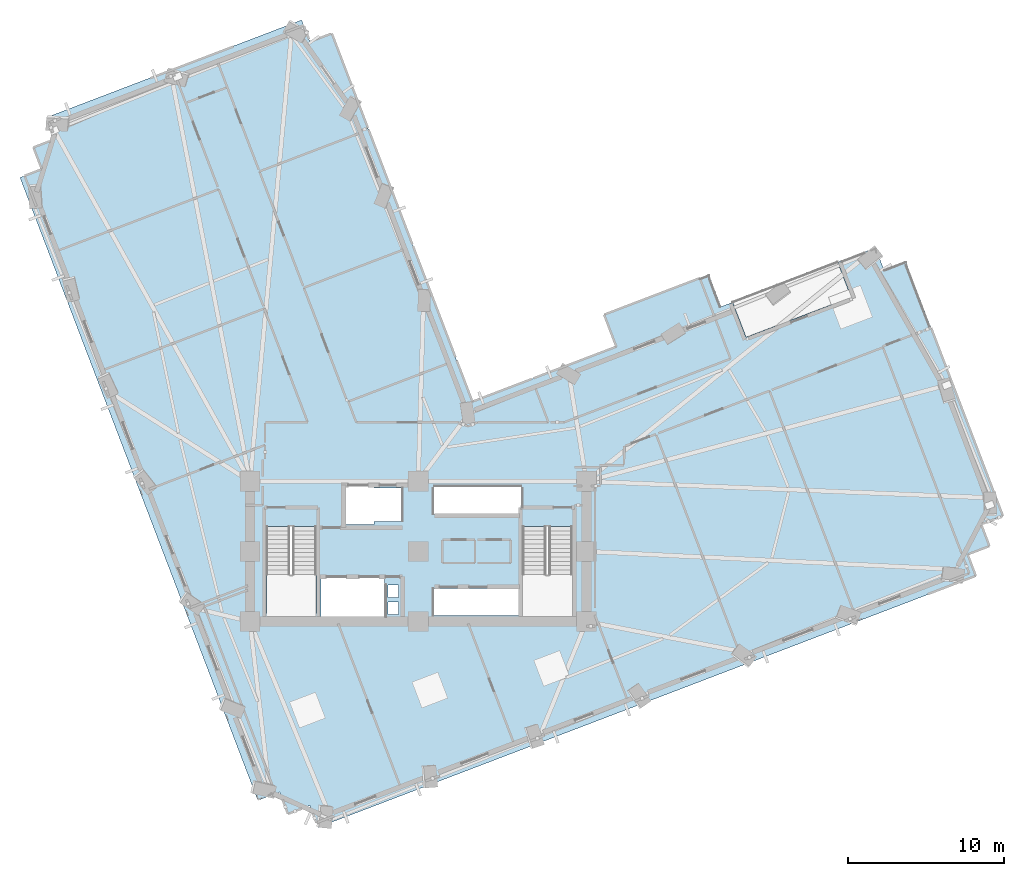
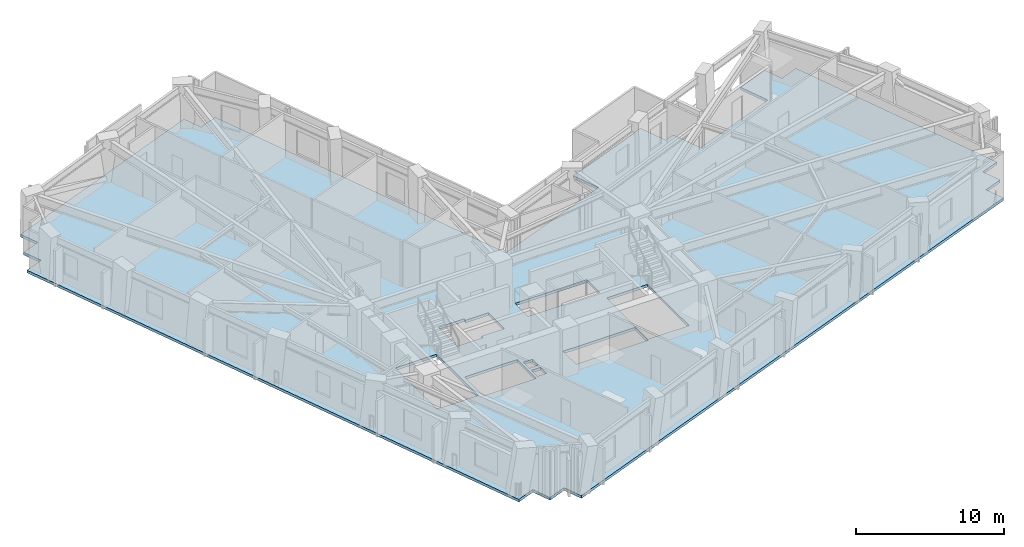
# One storey, part 4 of 15: 1 slab.
"""IFC4 building model written with IfcOpenShell, lengths in metres."""

import ifcopenshell
import ifcopenshell.guid

model = None  # the IFC model being written
_history = None  # IfcOwnerHistory: only IFC2X3 demands one
_inside = {}  # id of a spatial element -> (the spatial element, [elements in it])
_under = {}  # id of a project, library or spatial element -> (it, [spatial elements below it])
_declared = {}  # id of a project -> (the project, [libraries it declares])
_typed = {}  # id of a type object -> (the type object, [elements of that type])
_made_of = {}  # id of a material, layer set ... -> (it, [elements and type objects made of it])


def new_model(schema):
    """Start an empty IFC model of exactly this schema.

    Asked for "IFC4X3", IfcOpenShell would pick the latest addendum, in which some entities
    have other attributes; the version numbers below select the first issue.
    IFC2X3 requires an IfcOwnerHistory on every rooted entity: one is made here for all.
    """
    global model, _history
    if schema == "IFC4X3":
        model = ifcopenshell.file(schema_version=(4, 3, 0, 0))
    else:
        model = ifcopenshell.file(schema=schema)
    _inside.clear()
    _under.clear()
    _declared.clear()
    _typed.clear()
    _made_of.clear()
    _history = None
    if model.schema == "IFC2X3":
        org = make("IfcOrganization", Name="unknown")
        user = make(
            "IfcPersonAndOrganization",
            ThePerson=make("IfcPerson", FamilyName="unknown"),
            TheOrganization=org,
        )
        app = make(
            "IfcApplication",
            ApplicationDeveloper=org,
            Version="unknown",
            ApplicationFullName="unknown",
            ApplicationIdentifier="unknown",
        )
        _history = make(
            "IfcOwnerHistory",
            OwningUser=user,
            OwningApplication=app,
            ChangeAction="ADDED",
            CreationDate=0,
        )
    return model


def make(cls, **values):
    """One entity of the class cls with the attributes given. An attribute that is None is left unset."""
    return model.create_entity(
        cls, **{name: value for name, value in values.items() if value is not None}
    )


def rooted(cls, **values):
    """An entity with a GlobalId (a new one), such as an element, a storey or a relation."""
    return make(cls, GlobalId=ifcopenshell.guid.new(), OwnerHistory=_history, **values)


def si_unit(unit_type, name, prefix=None):
    """IfcSIUnit, for example si_unit("LENGTHUNIT", "METRE", prefix="MILLI")."""
    return make("IfcSIUnit", UnitType=unit_type, Prefix=prefix, Name=name)


def assignment(units):
    """IfcUnitAssignment: the units of a project."""
    return None if units is None else make("IfcUnitAssignment", Units=units)


def point(xyz):
    """IfcCartesianPoint."""
    return None if xyz is None else make("IfcCartesianPoint", Coordinates=xyz)


def direction(xyz):
    """IfcDirection."""
    return None if xyz is None else make("IfcDirection", DirectionRatios=xyz)


def frame(location, z_axis=None, x_axis=None):
    """IfcAxis2Placement3D, a coordinate frame: its origin and axes. An axis left out is left unset."""
    return make(
        "IfcAxis2Placement3D",
        Location=point(location),
        Axis=direction(z_axis),
        RefDirection=direction(x_axis),
    )


def origin():
    """The frame at (0, 0, 0) with its axes left unset."""
    return frame((0.0, 0.0, 0.0))


def place(relative_to, where):
    """IfcLocalPlacement: puts the frame where relative to a parent placement (None: the world)."""
    return make(
        "IfcLocalPlacement", PlacementRelTo=relative_to, RelativePlacement=where
    )


def context(
    kind, dimensions, precision=None, world=None, true_north=None, identifier=None
):
    """IfcGeometricRepresentationContext, for example the 3D "Model" context."""
    return make(
        "IfcGeometricRepresentationContext",
        ContextIdentifier=identifier,
        ContextType=kind,
        CoordinateSpaceDimension=dimensions,
        Precision=precision,
        WorldCoordinateSystem=world,
        TrueNorth=true_north,
    )


def subcontext(parent, identifier, kind, view, scale=None):
    """IfcGeometricRepresentationSubContext, for example "Body" below "Model"."""
    return make(
        "IfcGeometricRepresentationSubContext",
        ContextIdentifier=identifier,
        ContextType=kind,
        ParentContext=parent,
        TargetScale=scale,
        TargetView=view,
    )


def project(units=None, contexts=None):
    """IfcProject with its units and contexts."""
    return rooted(
        "IfcProject",
        Name="project",
        RepresentationContexts=contexts,
        UnitsInContext=assignment(units),
    )


def spatial(cls, under=None, at=None, **own):
    """A site, building, storey or space (cls), placed at a placement, below another one or the project."""
    s = rooted(cls, ObjectPlacement=at, **own)
    if under is not None:
        _under.setdefault(under.id(), (under, []))[1].append(s)
    return s


def polyline(points):
    """IfcPolyline through the points."""
    return make("IfcPolyline", Points=[point(p) for p in points])


def outline(outer, holes=None, kind="AREA"):
    """IfcArbitraryClosedProfileDef: a profile drawn as a closed curve; with holes, ...WithVoids."""
    if holes is None:
        return make("IfcArbitraryClosedProfileDef", ProfileType=kind, OuterCurve=outer)
    return make(
        "IfcArbitraryProfileDefWithVoids",
        ProfileType=kind,
        OuterCurve=outer,
        InnerCurves=holes,
    )


def extrude(swept, where, along, depth):
    """IfcExtrudedAreaSolid: the profile swept, set in the frame where, extruded along a direction by depth."""
    return make(
        "IfcExtrudedAreaSolid",
        SweptArea=swept,
        Position=where,
        ExtrudedDirection=direction(along),
        Depth=depth,
    )


def shape(context_of_items, identifier, shape_type, items):
    """IfcShapeRepresentation: the items that make up one representation, for example the "Body"."""
    return make(
        "IfcShapeRepresentation",
        ContextOfItems=context_of_items,
        RepresentationIdentifier=identifier,
        RepresentationType=shape_type,
        Items=items,
    )


def material(Name=None, Category=None):
    """IfcMaterial."""
    return make("IfcMaterial", Name=Name, Category=Category)


def layer(
    of_material, thickness, ventilated=None, Name=None, Category=None, Priority=None
):
    """IfcMaterialLayer: one layer of a wall or slab, of a material (None: an air gap)."""
    return make(
        "IfcMaterialLayer",
        Material=of_material,
        LayerThickness=thickness,
        IsVentilated=ventilated,
        Name=Name,
        Category=Category,
        Priority=Priority,
    )


def layer_set(layers, Name=None):
    """IfcMaterialLayerSet."""
    return make("IfcMaterialLayerSet", MaterialLayers=layers, LayerSetName=Name)


def made_of(thing, what):
    """Note that an element or type object is made of a material, layer set ...; save() writes the relation."""
    if what is not None:
        _made_of.setdefault(what.id(), (what, []))[1].append(thing)
    return thing


def type_object(cls, material=None, **own):
    """A type object (cls), such as IfcWallType, which elements share."""
    return made_of(rooted(cls, **own), material)


def element(
    cls,
    number,
    at=None,
    inside=None,
    cuts=None,
    type_object=None,
    material=None,
    context=None,
    identifier="Body",
    shape_type=None,
    held_by="IfcProductDefinitionShape",
    body=None,
    shapes=None,
    **own,
):
    """One element of the class cls, such as IfcWall. Its Tag is "e" and its number.

    at: its placement. inside: the storey or other place that contains it. cuts: it is an
    opening in that element (IfcRelVoidsElement). A single representation is given by context,
    identifier, shape_type and body (its items); several are given by shapes. held_by: the class
    of the entity that holds the representations. save() writes the other relations.
    """
    e = rooted(cls, Tag="e%d" % number, ObjectPlacement=at, **own)
    if body is not None:
        shapes = [shape(context, identifier, shape_type, body)]
    if shapes is not None:
        e.Representation = make(held_by, Representations=shapes)
    if inside is not None:
        _inside.setdefault(inside.id(), (inside, []))[1].append(e)
    if cuts is not None:
        rooted(
            "IfcRelVoidsElement", RelatingBuildingElement=cuts, RelatedOpeningElement=e
        )
    if type_object is not None:
        _typed.setdefault(type_object.id(), (type_object, []))[1].append(e)
    return made_of(e, material)


def aggregate(whole, parts):
    """IfcRelAggregates: a whole, such as a stair, and the parts it consists of."""
    return rooted("IfcRelAggregates", RelatingObject=whole, RelatedObjects=parts)


def save(model, path):
    """Write the relations noted so far, then the file.

    IfcRelAggregates (storeys below a building ...), IfcRelContainedInSpatialStructure (elements
    in a storey), IfcRelDefinesByType, IfcRelAssociatesMaterial and IfcRelDeclares: one each for
    every whole, place, type object, material and project.
    """
    for whole, parts in _under.values():
        aggregate(whole, parts)
    for where, things in _inside.values():
        rooted(
            "IfcRelContainedInSpatialStructure",
            RelatedElements=things,
            RelatingStructure=where,
        )
    for kind, things in _typed.values():
        rooted("IfcRelDefinesByType", RelatedObjects=things, RelatingType=kind)
    for what, things in _made_of.values():
        rooted("IfcRelAssociatesMaterial", RelatedObjects=things, RelatingMaterial=what)
    for by, libraries in _declared.values():
        rooted("IfcRelDeclares", RelatingContext=by, RelatedDefinitions=libraries)
    model.write(path)


model = new_model("IFC4")

# Units and contexts
model_context = context("Model", 3, precision=1e-05, world=origin(), true_north=direction((0.0, 1.0)))
body_context = subcontext(model_context, "Body", "Model", "MODEL_VIEW")
ifc_project = project(units=[si_unit("LENGTHUNIT", "METRE"), si_unit("AREAUNIT", "SQUARE_METRE"), si_unit("VOLUMEUNIT", "CUBIC_METRE"), si_unit("PLANEANGLEUNIT", "RADIAN"), si_unit("MASSUNIT", "GRAM", prefix="KILO")], contexts=[model_context])

# Site, building, storey
site_placement = place(None, origin())
site = spatial("IfcSite", under=ifc_project, at=site_placement, CompositionType="ELEMENT")
building_placement = place(site_placement, origin())
building = spatial("IfcBuilding", under=site, at=building_placement, Name="Gaonmaruhae Medical Tower", CompositionType="ELEMENT")
storey_placement = place(building_placement, frame((0.0, 0.0, 112.39990234375)))
storey = spatial("IfcBuildingStorey", under=building, at=storey_placement, Name="L26", CompositionType="ELEMENT", Elevation=112.39990234375)

# Slab
ifc_material = material(Name="Concrete C40/50", Category="concrete")
ifc_layer = layer(ifc_material, 0.219970703125)
ifc_layer_set = layer_set([ifc_layer], Name="Concrete C40/50")
slab_type = type_object("IfcSlabType", Name="FS-220 Clinical Ward Composite Floor Slab", PredefinedType="FLOOR", material=ifc_layer_set)
slab_placement = place(storey_placement, frame((0.0, 0.0, -0.219970703125)))
element("IfcSlab", 1, at=slab_placement, inside=storey, type_object=slab_type, Name="L26 Structural Slab 1", PredefinedType="FLOOR", context=body_context, shape_type="SweptSolid", body=[
    extrude(outline(polyline([(54.692626953125, 30.392578125), (56.093994140625, 30.927734375), (62.3369140625, 14.5791015625), (60.935546875, 14.0439453125), (61.470703125, 12.642578125), (60.0693359375, 12.107666015625), (60.6044921875, 10.706298828125), (18.37841796875, -5.418212890625), (17.843505859375, -4.01708984375), (16.442138671875, -4.552001953125), (15.906982421875, -3.15087890625), (14.505615234375, -3.685791015625), (-0.7626953125, 36.298095703125), (0.638671875, 36.8330078125), (0.103515625, 38.234619140625), (1.5048828125, 38.76953125), (0.9697265625, 40.1708984375), (17.318359375, 46.413818359375), (17.853515625, 45.012451171875), (19.254638671875, 45.547607421875), (28.2802734375, 21.912109375), (37.523193359375, 25.44189453125), (36.73828125, 27.4970703125), (43.464599609375, 30.0654296875), (44.24951171875, 28.01025390625), (44.996826171875, 28.295654296875), (45.85302734375, 26.0537109375), (52.579345703125, 28.6220703125), (51.72314453125, 30.8642578125), (54.15771484375, 31.7939453125), (54.692626953125, 30.392578125)]), holes=[polyline([(23.550048828125, 8.25), (22.85009765625, 8.25), (22.85009765625, 9.050048828125), (23.550048828125, 9.050048828125), (23.550048828125, 8.25)]), polyline([(25.824951171875, 9.925048828125), (31.425048828125, 9.925048828125), (31.425048828125, 8.175048828125), (25.824951171875, 8.175048828125), (25.824951171875, 9.925048828125)]), polyline([(22.64990234375, 10.625), (22.64990234375, 8.074951171875), (18.550048828125, 8.074951171875), (18.550048828125, 10.625), (22.64990234375, 10.625)]), polyline([(23.550048828125, 9.35009765625), (22.85009765625, 9.35009765625), (22.85009765625, 10.14990234375), (23.550048828125, 10.14990234375), (23.550048828125, 9.35009765625)]), polyline([(15.050048828125, 13.889892578125), (18.25, 13.889892578125), (18.25, 8.300048828125), (15.050048828125, 8.300048828125), (15.050048828125, 13.889892578125)]), polyline([(31.5, 13.889892578125), (34.699951171875, 13.889892578125), (34.699951171875, 8.300048828125), (31.5, 8.300048828125), (31.5, 13.889892578125)]), polyline([(21.949951171875, 14.22509765625), (21.949951171875, 14.02490234375), (19.949951171875, 14.02490234375), (19.949951171875, 16.574951171875), (21.949951171875, 16.574951171875), (21.949951171875, 16.375), (23.72509765625, 16.375), (23.72509765625, 14.22509765625), (21.949951171875, 14.22509765625)]), polyline([(25.824951171875, 16.425048828125), (31.425048828125, 16.425048828125), (31.425048828125, 14.675048828125), (25.824951171875, 14.675048828125), (25.824951171875, 16.425048828125)])]), origin(), (0.0, 0.0, 1.0), 0.219970703125),
])

save(model, "model.ifc")
